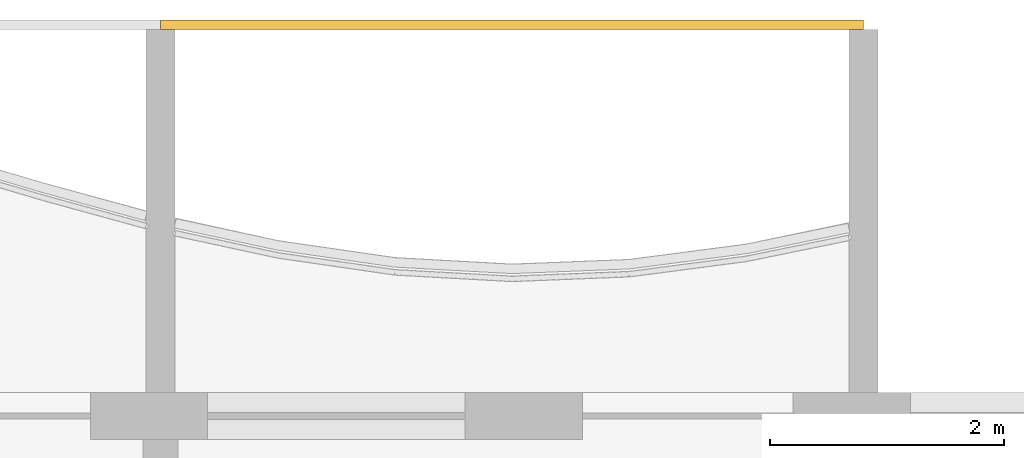
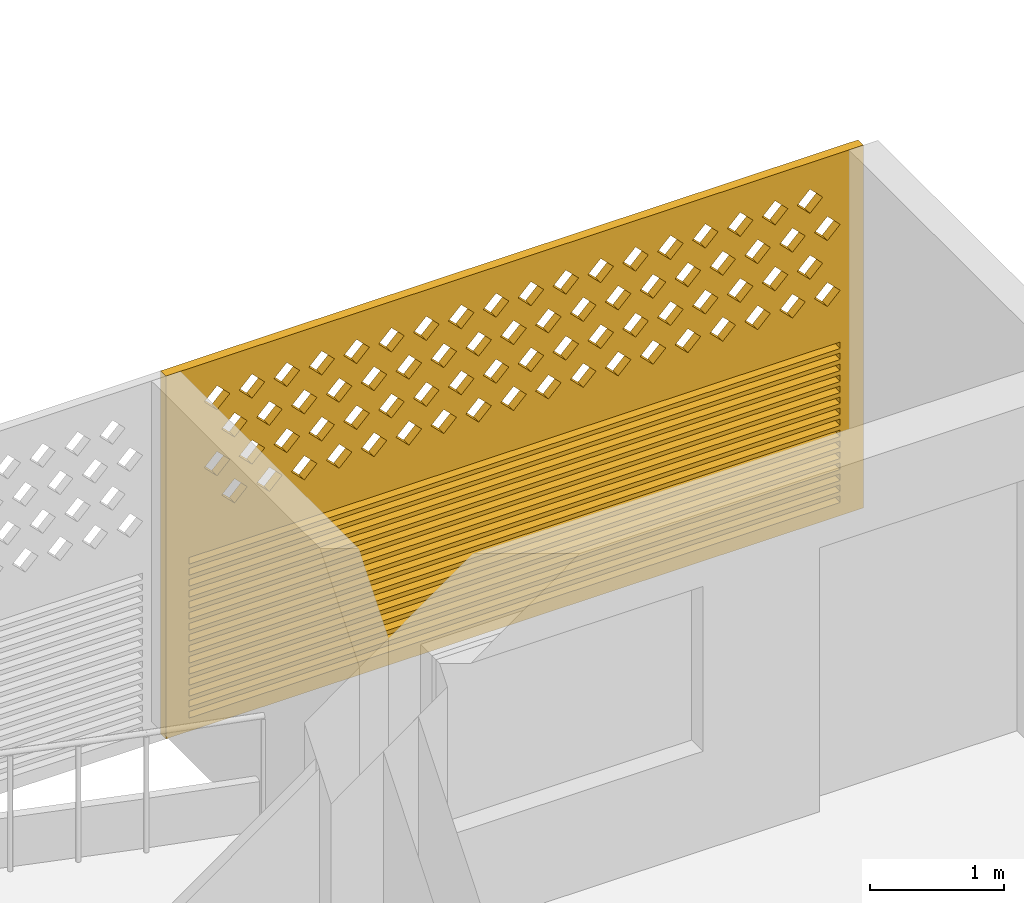
# One storey, part 19 of 31: 1 covering.
"""IFC4 building model written with IfcOpenShell, lengths in metres."""

from ifc_helpers import new_model, si_unit, direction, frame, origin, place, context, subcontext, project, spatial, polyline, outline, extrude, source, transform, mapped, material, material_profile, profile_set, type_object, element, save


model = new_model("IFC4")

# Units and contexts
model_context = context("Model", 3, precision=1e-05, world=origin(), true_north=direction((0.0, 1.0)))
body_context = subcontext(model_context, "Body", "Model", "MODEL_VIEW")
ifc_project = project(units=[si_unit("LENGTHUNIT", "METRE"), si_unit("AREAUNIT", "SQUARE_METRE"), si_unit("VOLUMEUNIT", "CUBIC_METRE"), si_unit("PLANEANGLEUNIT", "RADIAN"), si_unit("MASSUNIT", "GRAM", prefix="KILO")], contexts=[model_context])

# Site, building, storey
site_placement = place(None, origin())
site = spatial("IfcSite", under=ifc_project, at=site_placement, CompositionType="ELEMENT")
building_placement = place(site_placement, origin())
building = spatial("IfcBuilding", under=site, at=building_placement, Name="Poui Terraces", CompositionType="ELEMENT")
storey_placement = place(building_placement, frame((0.0, 0.0, 145.5)))
storey = spatial("IfcBuildingStorey", under=building, at=storey_placement, Name="L40", CompositionType="ELEMENT", Elevation=145.5)

# Covering
ifc_material = material(Name="Terracotta screen", Category="masonry")
ifc_material_profile = material_profile(ifc_material, outline(polyline([(-3.0, -1.64990234375), (3.0, -1.64990234375), (3.0, 1.64990234375), (-3.0, 1.64990234375), (-3.0, -1.64990234375)]), holes=[polyline([(-2.800048828125, 0.39990234375), (-2.68994140625, 0.2900390625), (-2.580078125, 0.39990234375), (-2.68994140625, 0.510009765625), (-2.800048828125, 0.39990234375)]), polyline([(-2.5, 0.39990234375), (-2.389892578125, 0.2900390625), (-2.280029296875, 0.39990234375), (-2.389892578125, 0.510009765625), (-2.5, 0.39990234375)]), polyline([(-2.199951171875, 0.39990234375), (-2.090087890625, 0.2900390625), (-1.97998046875, 0.39990234375), (-2.090087890625, 0.510009765625), (-2.199951171875, 0.39990234375)]), polyline([(-1.89990234375, 0.39990234375), (-1.7900390625, 0.2900390625), (-1.679931640625, 0.39990234375), (-1.7900390625, 0.510009765625), (-1.89990234375, 0.39990234375)]), polyline([(-1.60009765625, 0.39990234375), (-1.489990234375, 0.2900390625), (-1.3798828125, 0.39990234375), (-1.489990234375, 0.510009765625), (-1.60009765625, 0.39990234375)]), polyline([(-1.300048828125, 0.39990234375), (-1.18994140625, 0.2900390625), (-1.080078125, 0.39990234375), (-1.18994140625, 0.510009765625), (-1.300048828125, 0.39990234375)]), polyline([(-1.0, 0.39990234375), (-0.889892578125, 0.2900390625), (-0.780029296875, 0.39990234375), (-0.889892578125, 0.510009765625), (-1.0, 0.39990234375)]), polyline([(-0.699951171875, 0.39990234375), (-0.590087890625, 0.2900390625), (-0.47998046875, 0.39990234375), (-0.590087890625, 0.510009765625), (-0.699951171875, 0.39990234375)]), polyline([(-0.39990234375, 0.39990234375), (-0.2900390625, 0.2900390625), (-0.179931640625, 0.39990234375), (-0.2900390625, 0.510009765625), (-0.39990234375, 0.39990234375)]), polyline([(-0.10009765625, 0.39990234375), (0.010009765625, 0.2900390625), (0.1201171875, 0.39990234375), (0.010009765625, 0.510009765625), (-0.10009765625, 0.39990234375)]), polyline([(0.199951171875, 0.39990234375), (0.31005859375, 0.2900390625), (0.419921875, 0.39990234375), (0.31005859375, 0.510009765625), (0.199951171875, 0.39990234375)]), polyline([(0.5, 0.39990234375), (0.610107421875, 0.2900390625), (0.719970703125, 0.39990234375), (0.610107421875, 0.510009765625), (0.5, 0.39990234375)]), polyline([(0.800048828125, 0.39990234375), (0.909912109375, 0.2900390625), (1.02001953125, 0.39990234375), (0.909912109375, 0.510009765625), (0.800048828125, 0.39990234375)]), polyline([(1.10009765625, 0.39990234375), (1.2099609375, 0.2900390625), (1.320068359375, 0.39990234375), (1.2099609375, 0.510009765625), (1.10009765625, 0.39990234375)]), polyline([(1.39990234375, 0.39990234375), (1.510009765625, 0.2900390625), (1.6201171875, 0.39990234375), (1.510009765625, 0.510009765625), (1.39990234375, 0.39990234375)]), polyline([(1.699951171875, 0.39990234375), (1.81005859375, 0.2900390625), (1.919921875, 0.39990234375), (1.81005859375, 0.510009765625), (1.699951171875, 0.39990234375)]), polyline([(2.0, 0.39990234375), (2.110107421875, 0.2900390625), (2.219970703125, 0.39990234375), (2.110107421875, 0.510009765625), (2.0, 0.39990234375)]), polyline([(2.300048828125, 0.39990234375), (2.409912109375, 0.2900390625), (2.52001953125, 0.39990234375), (2.409912109375, 0.510009765625), (2.300048828125, 0.39990234375)]), polyline([(-2.64990234375, 0.699951171875), (-2.5400390625, 0.590087890625), (-2.429931640625, 0.699951171875), (-2.5400390625, 0.81005859375), (-2.64990234375, 0.699951171875)]), polyline([(-2.35009765625, 0.699951171875), (-2.239990234375, 0.590087890625), (-2.1298828125, 0.699951171875), (-2.239990234375, 0.81005859375), (-2.35009765625, 0.699951171875)]), polyline([(-2.050048828125, 0.699951171875), (-1.93994140625, 0.590087890625), (-1.830078125, 0.699951171875), (-1.93994140625, 0.81005859375), (-2.050048828125, 0.699951171875)]), polyline([(-1.75, 0.699951171875), (-1.639892578125, 0.590087890625), (-1.530029296875, 0.699951171875), (-1.639892578125, 0.81005859375), (-1.75, 0.699951171875)]), polyline([(-1.449951171875, 0.699951171875), (-1.340087890625, 0.590087890625), (-1.22998046875, 0.699951171875), (-1.340087890625, 0.81005859375), (-1.449951171875, 0.699951171875)]), polyline([(-1.14990234375, 0.699951171875), (-1.0400390625, 0.590087890625), (-0.929931640625, 0.699951171875), (-1.0400390625, 0.81005859375), (-1.14990234375, 0.699951171875)]), polyline([(-0.85009765625, 0.699951171875), (-0.739990234375, 0.590087890625), (-0.6298828125, 0.699951171875), (-0.739990234375, 0.81005859375), (-0.85009765625, 0.699951171875)]), polyline([(-0.550048828125, 0.699951171875), (-0.43994140625, 0.590087890625), (-0.330078125, 0.699951171875), (-0.43994140625, 0.81005859375), (-0.550048828125, 0.699951171875)]), polyline([(-0.25, 0.699951171875), (-0.139892578125, 0.590087890625), (-0.030029296875, 0.699951171875), (-0.139892578125, 0.81005859375), (-0.25, 0.699951171875)]), polyline([(0.050048828125, 0.699951171875), (0.159912109375, 0.590087890625), (0.27001953125, 0.699951171875), (0.159912109375, 0.81005859375), (0.050048828125, 0.699951171875)]), polyline([(0.35009765625, 0.699951171875), (0.4599609375, 0.590087890625), (0.570068359375, 0.699951171875), (0.4599609375, 0.81005859375), (0.35009765625, 0.699951171875)]), polyline([(0.64990234375, 0.699951171875), (0.760009765625, 0.590087890625), (0.8701171875, 0.699951171875), (0.760009765625, 0.81005859375), (0.64990234375, 0.699951171875)]), polyline([(0.949951171875, 0.699951171875), (1.06005859375, 0.590087890625), (1.169921875, 0.699951171875), (1.06005859375, 0.81005859375), (0.949951171875, 0.699951171875)]), polyline([(1.25, 0.699951171875), (1.360107421875, 0.590087890625), (1.469970703125, 0.699951171875), (1.360107421875, 0.81005859375), (1.25, 0.699951171875)]), polyline([(1.550048828125, 0.699951171875), (1.659912109375, 0.590087890625), (1.77001953125, 0.699951171875), (1.659912109375, 0.81005859375), (1.550048828125, 0.699951171875)]), polyline([(1.85009765625, 0.699951171875), (1.9599609375, 0.590087890625), (2.070068359375, 0.699951171875), (1.9599609375, 0.81005859375), (1.85009765625, 0.699951171875)]), polyline([(2.14990234375, 0.699951171875), (2.260009765625, 0.590087890625), (2.3701171875, 0.699951171875), (2.260009765625, 0.81005859375), (2.14990234375, 0.699951171875)]), polyline([(2.449951171875, 0.699951171875), (2.56005859375, 0.590087890625), (2.669921875, 0.699951171875), (2.56005859375, 0.81005859375), (2.449951171875, 0.699951171875)]), polyline([(-2.800048828125, 1.0), (-2.68994140625, 0.889892578125), (-2.580078125, 1.0), (-2.68994140625, 1.110107421875), (-2.800048828125, 1.0)]), polyline([(-2.5, 1.0), (-2.389892578125, 0.889892578125), (-2.280029296875, 1.0), (-2.389892578125, 1.110107421875), (-2.5, 1.0)]), polyline([(-2.199951171875, 1.0), (-2.090087890625, 0.889892578125), (-1.97998046875, 1.0), (-2.090087890625, 1.110107421875), (-2.199951171875, 1.0)]), polyline([(-1.89990234375, 1.0), (-1.7900390625, 0.889892578125), (-1.679931640625, 1.0), (-1.7900390625, 1.110107421875), (-1.89990234375, 1.0)]), polyline([(-1.60009765625, 1.0), (-1.489990234375, 0.889892578125), (-1.3798828125, 1.0), (-1.489990234375, 1.110107421875), (-1.60009765625, 1.0)]), polyline([(-1.300048828125, 1.0), (-1.18994140625, 0.889892578125), (-1.080078125, 1.0), (-1.18994140625, 1.110107421875), (-1.300048828125, 1.0)]), polyline([(-1.0, 1.0), (-0.889892578125, 0.889892578125), (-0.780029296875, 1.0), (-0.889892578125, 1.110107421875), (-1.0, 1.0)]), polyline([(-0.699951171875, 1.0), (-0.590087890625, 0.889892578125), (-0.47998046875, 1.0), (-0.590087890625, 1.110107421875), (-0.699951171875, 1.0)]), polyline([(-0.39990234375, 1.0), (-0.2900390625, 0.889892578125), (-0.179931640625, 1.0), (-0.2900390625, 1.110107421875), (-0.39990234375, 1.0)]), polyline([(-0.10009765625, 1.0), (0.010009765625, 0.889892578125), (0.1201171875, 1.0), (0.010009765625, 1.110107421875), (-0.10009765625, 1.0)]), polyline([(0.199951171875, 1.0), (0.31005859375, 0.889892578125), (0.419921875, 1.0), (0.31005859375, 1.110107421875), (0.199951171875, 1.0)]), polyline([(0.5, 1.0), (0.610107421875, 0.889892578125), (0.719970703125, 1.0), (0.610107421875, 1.110107421875), (0.5, 1.0)]), polyline([(0.800048828125, 1.0), (0.909912109375, 0.889892578125), (1.02001953125, 1.0), (0.909912109375, 1.110107421875), (0.800048828125, 1.0)]), polyline([(1.10009765625, 1.0), (1.2099609375, 0.889892578125), (1.320068359375, 1.0), (1.2099609375, 1.110107421875), (1.10009765625, 1.0)]), polyline([(1.39990234375, 1.0), (1.510009765625, 0.889892578125), (1.6201171875, 1.0), (1.510009765625, 1.110107421875), (1.39990234375, 1.0)]), polyline([(1.699951171875, 1.0), (1.81005859375, 0.889892578125), (1.919921875, 1.0), (1.81005859375, 1.110107421875), (1.699951171875, 1.0)]), polyline([(2.0, 1.0), (2.110107421875, 0.889892578125), (2.219970703125, 1.0), (2.110107421875, 1.110107421875), (2.0, 1.0)]), polyline([(2.300048828125, 1.0), (2.409912109375, 0.889892578125), (2.52001953125, 1.0), (2.409912109375, 1.110107421875), (2.300048828125, 1.0)]), polyline([(-2.64990234375, 1.300048828125), (-2.5400390625, 1.18994140625), (-2.429931640625, 1.300048828125), (-2.5400390625, 1.409912109375), (-2.64990234375, 1.300048828125)]), polyline([(-2.35009765625, 1.300048828125), (-2.239990234375, 1.18994140625), (-2.1298828125, 1.300048828125), (-2.239990234375, 1.409912109375), (-2.35009765625, 1.300048828125)]), polyline([(-2.050048828125, 1.300048828125), (-1.93994140625, 1.18994140625), (-1.830078125, 1.300048828125), (-1.93994140625, 1.409912109375), (-2.050048828125, 1.300048828125)]), polyline([(-1.75, 1.300048828125), (-1.639892578125, 1.18994140625), (-1.530029296875, 1.300048828125), (-1.639892578125, 1.409912109375), (-1.75, 1.300048828125)]), polyline([(-1.449951171875, 1.300048828125), (-1.340087890625, 1.18994140625), (-1.22998046875, 1.300048828125), (-1.340087890625, 1.409912109375), (-1.449951171875, 1.300048828125)]), polyline([(-1.14990234375, 1.300048828125), (-1.0400390625, 1.18994140625), (-0.929931640625, 1.300048828125), (-1.0400390625, 1.409912109375), (-1.14990234375, 1.300048828125)]), polyline([(-0.85009765625, 1.300048828125), (-0.739990234375, 1.18994140625), (-0.6298828125, 1.300048828125), (-0.739990234375, 1.409912109375), (-0.85009765625, 1.300048828125)]), polyline([(-0.550048828125, 1.300048828125), (-0.43994140625, 1.18994140625), (-0.330078125, 1.300048828125), (-0.43994140625, 1.409912109375), (-0.550048828125, 1.300048828125)]), polyline([(-0.25, 1.300048828125), (-0.139892578125, 1.18994140625), (-0.030029296875, 1.300048828125), (-0.139892578125, 1.409912109375), (-0.25, 1.300048828125)]), polyline([(0.050048828125, 1.300048828125), (0.159912109375, 1.18994140625), (0.27001953125, 1.300048828125), (0.159912109375, 1.409912109375), (0.050048828125, 1.300048828125)]), polyline([(0.35009765625, 1.300048828125), (0.4599609375, 1.18994140625), (0.570068359375, 1.300048828125), (0.4599609375, 1.409912109375), (0.35009765625, 1.300048828125)]), polyline([(0.64990234375, 1.300048828125), (0.760009765625, 1.18994140625), (0.8701171875, 1.300048828125), (0.760009765625, 1.409912109375), (0.64990234375, 1.300048828125)]), polyline([(0.949951171875, 1.300048828125), (1.06005859375, 1.18994140625), (1.169921875, 1.300048828125), (1.06005859375, 1.409912109375), (0.949951171875, 1.300048828125)]), polyline([(1.25, 1.300048828125), (1.360107421875, 1.18994140625), (1.469970703125, 1.300048828125), (1.360107421875, 1.409912109375), (1.25, 1.300048828125)]), polyline([(1.550048828125, 1.300048828125), (1.659912109375, 1.18994140625), (1.77001953125, 1.300048828125), (1.659912109375, 1.409912109375), (1.550048828125, 1.300048828125)]), polyline([(1.85009765625, 1.300048828125), (1.9599609375, 1.18994140625), (2.070068359375, 1.300048828125), (1.9599609375, 1.409912109375), (1.85009765625, 1.300048828125)]), polyline([(2.14990234375, 1.300048828125), (2.260009765625, 1.18994140625), (2.3701171875, 1.300048828125), (2.260009765625, 1.409912109375), (2.14990234375, 1.300048828125)]), polyline([(2.449951171875, 1.300048828125), (2.56005859375, 1.18994140625), (2.669921875, 1.300048828125), (2.56005859375, 1.409912109375), (2.449951171875, 1.300048828125)]), polyline([(-2.800048828125, -1.530029296875), (2.800048828125, -1.530029296875), (2.800048828125, -1.469970703125), (-2.800048828125, -1.469970703125), (-2.800048828125, -1.530029296875)]), polyline([(-2.800048828125, -1.429931640625), (2.800048828125, -1.429931640625), (2.800048828125, -1.3701171875), (-2.800048828125, -1.3701171875), (-2.800048828125, -1.429931640625)]), polyline([(-2.800048828125, -1.330078125), (2.800048828125, -1.330078125), (2.800048828125, -1.27001953125), (-2.800048828125, -1.27001953125), (-2.800048828125, -1.330078125)]), polyline([(-2.800048828125, -1.22998046875), (2.800048828125, -1.22998046875), (2.800048828125, -1.169921875), (-2.800048828125, -1.169921875), (-2.800048828125, -1.22998046875)]), polyline([(-2.800048828125, -1.1298828125), (2.800048828125, -1.1298828125), (2.800048828125, -1.070068359375), (-2.800048828125, -1.070068359375), (-2.800048828125, -1.1298828125)]), polyline([(-2.800048828125, -1.030029296875), (2.800048828125, -1.030029296875), (2.800048828125, -0.969970703125), (-2.800048828125, -0.969970703125), (-2.800048828125, -1.030029296875)]), polyline([(-2.800048828125, -0.929931640625), (2.800048828125, -0.929931640625), (2.800048828125, -0.8701171875), (-2.800048828125, -0.8701171875), (-2.800048828125, -0.929931640625)]), polyline([(-2.800048828125, -0.830078125), (2.800048828125, -0.830078125), (2.800048828125, -0.77001953125), (-2.800048828125, -0.77001953125), (-2.800048828125, -0.830078125)]), polyline([(-2.800048828125, -0.72998046875), (2.800048828125, -0.72998046875), (2.800048828125, -0.669921875), (-2.800048828125, -0.669921875), (-2.800048828125, -0.72998046875)]), polyline([(-2.800048828125, -0.6298828125), (2.800048828125, -0.6298828125), (2.800048828125, -0.570068359375), (-2.800048828125, -0.570068359375), (-2.800048828125, -0.6298828125)]), polyline([(-2.800048828125, -0.530029296875), (2.800048828125, -0.530029296875), (2.800048828125, -0.469970703125), (-2.800048828125, -0.469970703125), (-2.800048828125, -0.530029296875)]), polyline([(-2.800048828125, -0.429931640625), (2.800048828125, -0.429931640625), (2.800048828125, -0.3701171875), (-2.800048828125, -0.3701171875), (-2.800048828125, -0.429931640625)]), polyline([(-2.800048828125, -0.330078125), (2.800048828125, -0.330078125), (2.800048828125, -0.27001953125), (-2.800048828125, -0.27001953125), (-2.800048828125, -0.330078125)]), polyline([(-2.800048828125, -0.22998046875), (2.800048828125, -0.22998046875), (2.800048828125, -0.169921875), (-2.800048828125, -0.169921875), (-2.800048828125, -0.22998046875)]), polyline([(-2.800048828125, -0.1298828125), (2.800048828125, -0.1298828125), (2.800048828125, -0.070068359375), (-2.800048828125, -0.070068359375), (-2.800048828125, -0.1298828125)])]), Name="TERRACOTTA SCREEN AND JALOUSIE LOUVRE 6000X3300")
ifc_profile_set = profile_set([ifc_material_profile], Name="Terracotta screen")
covering_type = type_object("IfcCoveringType", Name="TERRACOTTA SCREEN AND JALOUSIE LOUVRE 6000X3300", PredefinedType="CLADDING", material=ifc_profile_set)
shared_shape = source(origin(), body_context, "Body", "SweptSolid", [
    extrude(outline(polyline([(-3.0, -1.64990234375), (3.0, -1.64990234375), (3.0, 1.64990234375), (-3.0, 1.64990234375), (-3.0, -1.64990234375)]), holes=[polyline([(-2.800048828125, 0.39990234375), (-2.68994140625, 0.2900390625), (-2.580078125, 0.39990234375), (-2.68994140625, 0.510009765625), (-2.800048828125, 0.39990234375)]), polyline([(-2.5, 0.39990234375), (-2.389892578125, 0.2900390625), (-2.280029296875, 0.39990234375), (-2.389892578125, 0.510009765625), (-2.5, 0.39990234375)]), polyline([(-2.199951171875, 0.39990234375), (-2.090087890625, 0.2900390625), (-1.97998046875, 0.39990234375), (-2.090087890625, 0.510009765625), (-2.199951171875, 0.39990234375)]), polyline([(-1.89990234375, 0.39990234375), (-1.7900390625, 0.2900390625), (-1.679931640625, 0.39990234375), (-1.7900390625, 0.510009765625), (-1.89990234375, 0.39990234375)]), polyline([(-1.60009765625, 0.39990234375), (-1.489990234375, 0.2900390625), (-1.3798828125, 0.39990234375), (-1.489990234375, 0.510009765625), (-1.60009765625, 0.39990234375)]), polyline([(-1.300048828125, 0.39990234375), (-1.18994140625, 0.2900390625), (-1.080078125, 0.39990234375), (-1.18994140625, 0.510009765625), (-1.300048828125, 0.39990234375)]), polyline([(-1.0, 0.39990234375), (-0.889892578125, 0.2900390625), (-0.780029296875, 0.39990234375), (-0.889892578125, 0.510009765625), (-1.0, 0.39990234375)]), polyline([(-0.699951171875, 0.39990234375), (-0.590087890625, 0.2900390625), (-0.47998046875, 0.39990234375), (-0.590087890625, 0.510009765625), (-0.699951171875, 0.39990234375)]), polyline([(-0.39990234375, 0.39990234375), (-0.2900390625, 0.2900390625), (-0.179931640625, 0.39990234375), (-0.2900390625, 0.510009765625), (-0.39990234375, 0.39990234375)]), polyline([(-0.10009765625, 0.39990234375), (0.010009765625, 0.2900390625), (0.1201171875, 0.39990234375), (0.010009765625, 0.510009765625), (-0.10009765625, 0.39990234375)]), polyline([(0.199951171875, 0.39990234375), (0.31005859375, 0.2900390625), (0.419921875, 0.39990234375), (0.31005859375, 0.510009765625), (0.199951171875, 0.39990234375)]), polyline([(0.5, 0.39990234375), (0.610107421875, 0.2900390625), (0.719970703125, 0.39990234375), (0.610107421875, 0.510009765625), (0.5, 0.39990234375)]), polyline([(0.800048828125, 0.39990234375), (0.909912109375, 0.2900390625), (1.02001953125, 0.39990234375), (0.909912109375, 0.510009765625), (0.800048828125, 0.39990234375)]), polyline([(1.10009765625, 0.39990234375), (1.2099609375, 0.2900390625), (1.320068359375, 0.39990234375), (1.2099609375, 0.510009765625), (1.10009765625, 0.39990234375)]), polyline([(1.39990234375, 0.39990234375), (1.510009765625, 0.2900390625), (1.6201171875, 0.39990234375), (1.510009765625, 0.510009765625), (1.39990234375, 0.39990234375)]), polyline([(1.699951171875, 0.39990234375), (1.81005859375, 0.2900390625), (1.919921875, 0.39990234375), (1.81005859375, 0.510009765625), (1.699951171875, 0.39990234375)]), polyline([(2.0, 0.39990234375), (2.110107421875, 0.2900390625), (2.219970703125, 0.39990234375), (2.110107421875, 0.510009765625), (2.0, 0.39990234375)]), polyline([(2.300048828125, 0.39990234375), (2.409912109375, 0.2900390625), (2.52001953125, 0.39990234375), (2.409912109375, 0.510009765625), (2.300048828125, 0.39990234375)]), polyline([(-2.64990234375, 0.699951171875), (-2.5400390625, 0.590087890625), (-2.429931640625, 0.699951171875), (-2.5400390625, 0.81005859375), (-2.64990234375, 0.699951171875)]), polyline([(-2.35009765625, 0.699951171875), (-2.239990234375, 0.590087890625), (-2.1298828125, 0.699951171875), (-2.239990234375, 0.81005859375), (-2.35009765625, 0.699951171875)]), polyline([(-2.050048828125, 0.699951171875), (-1.93994140625, 0.590087890625), (-1.830078125, 0.699951171875), (-1.93994140625, 0.81005859375), (-2.050048828125, 0.699951171875)]), polyline([(-1.75, 0.699951171875), (-1.639892578125, 0.590087890625), (-1.530029296875, 0.699951171875), (-1.639892578125, 0.81005859375), (-1.75, 0.699951171875)]), polyline([(-1.449951171875, 0.699951171875), (-1.340087890625, 0.590087890625), (-1.22998046875, 0.699951171875), (-1.340087890625, 0.81005859375), (-1.449951171875, 0.699951171875)]), polyline([(-1.14990234375, 0.699951171875), (-1.0400390625, 0.590087890625), (-0.929931640625, 0.699951171875), (-1.0400390625, 0.81005859375), (-1.14990234375, 0.699951171875)]), polyline([(-0.85009765625, 0.699951171875), (-0.739990234375, 0.590087890625), (-0.6298828125, 0.699951171875), (-0.739990234375, 0.81005859375), (-0.85009765625, 0.699951171875)]), polyline([(-0.550048828125, 0.699951171875), (-0.43994140625, 0.590087890625), (-0.330078125, 0.699951171875), (-0.43994140625, 0.81005859375), (-0.550048828125, 0.699951171875)]), polyline([(-0.25, 0.699951171875), (-0.139892578125, 0.590087890625), (-0.030029296875, 0.699951171875), (-0.139892578125, 0.81005859375), (-0.25, 0.699951171875)]), polyline([(0.050048828125, 0.699951171875), (0.159912109375, 0.590087890625), (0.27001953125, 0.699951171875), (0.159912109375, 0.81005859375), (0.050048828125, 0.699951171875)]), polyline([(0.35009765625, 0.699951171875), (0.4599609375, 0.590087890625), (0.570068359375, 0.699951171875), (0.4599609375, 0.81005859375), (0.35009765625, 0.699951171875)]), polyline([(0.64990234375, 0.699951171875), (0.760009765625, 0.590087890625), (0.8701171875, 0.699951171875), (0.760009765625, 0.81005859375), (0.64990234375, 0.699951171875)]), polyline([(0.949951171875, 0.699951171875), (1.06005859375, 0.590087890625), (1.169921875, 0.699951171875), (1.06005859375, 0.81005859375), (0.949951171875, 0.699951171875)]), polyline([(1.25, 0.699951171875), (1.360107421875, 0.590087890625), (1.469970703125, 0.699951171875), (1.360107421875, 0.81005859375), (1.25, 0.699951171875)]), polyline([(1.550048828125, 0.699951171875), (1.659912109375, 0.590087890625), (1.77001953125, 0.699951171875), (1.659912109375, 0.81005859375), (1.550048828125, 0.699951171875)]), polyline([(1.85009765625, 0.699951171875), (1.9599609375, 0.590087890625), (2.070068359375, 0.699951171875), (1.9599609375, 0.81005859375), (1.85009765625, 0.699951171875)]), polyline([(2.14990234375, 0.699951171875), (2.260009765625, 0.590087890625), (2.3701171875, 0.699951171875), (2.260009765625, 0.81005859375), (2.14990234375, 0.699951171875)]), polyline([(2.449951171875, 0.699951171875), (2.56005859375, 0.590087890625), (2.669921875, 0.699951171875), (2.56005859375, 0.81005859375), (2.449951171875, 0.699951171875)]), polyline([(-2.800048828125, 1.0), (-2.68994140625, 0.889892578125), (-2.580078125, 1.0), (-2.68994140625, 1.110107421875), (-2.800048828125, 1.0)]), polyline([(-2.5, 1.0), (-2.389892578125, 0.889892578125), (-2.280029296875, 1.0), (-2.389892578125, 1.110107421875), (-2.5, 1.0)]), polyline([(-2.199951171875, 1.0), (-2.090087890625, 0.889892578125), (-1.97998046875, 1.0), (-2.090087890625, 1.110107421875), (-2.199951171875, 1.0)]), polyline([(-1.89990234375, 1.0), (-1.7900390625, 0.889892578125), (-1.679931640625, 1.0), (-1.7900390625, 1.110107421875), (-1.89990234375, 1.0)]), polyline([(-1.60009765625, 1.0), (-1.489990234375, 0.889892578125), (-1.3798828125, 1.0), (-1.489990234375, 1.110107421875), (-1.60009765625, 1.0)]), polyline([(-1.300048828125, 1.0), (-1.18994140625, 0.889892578125), (-1.080078125, 1.0), (-1.18994140625, 1.110107421875), (-1.300048828125, 1.0)]), polyline([(-1.0, 1.0), (-0.889892578125, 0.889892578125), (-0.780029296875, 1.0), (-0.889892578125, 1.110107421875), (-1.0, 1.0)]), polyline([(-0.699951171875, 1.0), (-0.590087890625, 0.889892578125), (-0.47998046875, 1.0), (-0.590087890625, 1.110107421875), (-0.699951171875, 1.0)]), polyline([(-0.39990234375, 1.0), (-0.2900390625, 0.889892578125), (-0.179931640625, 1.0), (-0.2900390625, 1.110107421875), (-0.39990234375, 1.0)]), polyline([(-0.10009765625, 1.0), (0.010009765625, 0.889892578125), (0.1201171875, 1.0), (0.010009765625, 1.110107421875), (-0.10009765625, 1.0)]), polyline([(0.199951171875, 1.0), (0.31005859375, 0.889892578125), (0.419921875, 1.0), (0.31005859375, 1.110107421875), (0.199951171875, 1.0)]), polyline([(0.5, 1.0), (0.610107421875, 0.889892578125), (0.719970703125, 1.0), (0.610107421875, 1.110107421875), (0.5, 1.0)]), polyline([(0.800048828125, 1.0), (0.909912109375, 0.889892578125), (1.02001953125, 1.0), (0.909912109375, 1.110107421875), (0.800048828125, 1.0)]), polyline([(1.10009765625, 1.0), (1.2099609375, 0.889892578125), (1.320068359375, 1.0), (1.2099609375, 1.110107421875), (1.10009765625, 1.0)]), polyline([(1.39990234375, 1.0), (1.510009765625, 0.889892578125), (1.6201171875, 1.0), (1.510009765625, 1.110107421875), (1.39990234375, 1.0)]), polyline([(1.699951171875, 1.0), (1.81005859375, 0.889892578125), (1.919921875, 1.0), (1.81005859375, 1.110107421875), (1.699951171875, 1.0)]), polyline([(2.0, 1.0), (2.110107421875, 0.889892578125), (2.219970703125, 1.0), (2.110107421875, 1.110107421875), (2.0, 1.0)]), polyline([(2.300048828125, 1.0), (2.409912109375, 0.889892578125), (2.52001953125, 1.0), (2.409912109375, 1.110107421875), (2.300048828125, 1.0)]), polyline([(-2.64990234375, 1.300048828125), (-2.5400390625, 1.18994140625), (-2.429931640625, 1.300048828125), (-2.5400390625, 1.409912109375), (-2.64990234375, 1.300048828125)]), polyline([(-2.35009765625, 1.300048828125), (-2.239990234375, 1.18994140625), (-2.1298828125, 1.300048828125), (-2.239990234375, 1.409912109375), (-2.35009765625, 1.300048828125)]), polyline([(-2.050048828125, 1.300048828125), (-1.93994140625, 1.18994140625), (-1.830078125, 1.300048828125), (-1.93994140625, 1.409912109375), (-2.050048828125, 1.300048828125)]), polyline([(-1.75, 1.300048828125), (-1.639892578125, 1.18994140625), (-1.530029296875, 1.300048828125), (-1.639892578125, 1.409912109375), (-1.75, 1.300048828125)]), polyline([(-1.449951171875, 1.300048828125), (-1.340087890625, 1.18994140625), (-1.22998046875, 1.300048828125), (-1.340087890625, 1.409912109375), (-1.449951171875, 1.300048828125)]), polyline([(-1.14990234375, 1.300048828125), (-1.0400390625, 1.18994140625), (-0.929931640625, 1.300048828125), (-1.0400390625, 1.409912109375), (-1.14990234375, 1.300048828125)]), polyline([(-0.85009765625, 1.300048828125), (-0.739990234375, 1.18994140625), (-0.6298828125, 1.300048828125), (-0.739990234375, 1.409912109375), (-0.85009765625, 1.300048828125)]), polyline([(-0.550048828125, 1.300048828125), (-0.43994140625, 1.18994140625), (-0.330078125, 1.300048828125), (-0.43994140625, 1.409912109375), (-0.550048828125, 1.300048828125)]), polyline([(-0.25, 1.300048828125), (-0.139892578125, 1.18994140625), (-0.030029296875, 1.300048828125), (-0.139892578125, 1.409912109375), (-0.25, 1.300048828125)]), polyline([(0.050048828125, 1.300048828125), (0.159912109375, 1.18994140625), (0.27001953125, 1.300048828125), (0.159912109375, 1.409912109375), (0.050048828125, 1.300048828125)]), polyline([(0.35009765625, 1.300048828125), (0.4599609375, 1.18994140625), (0.570068359375, 1.300048828125), (0.4599609375, 1.409912109375), (0.35009765625, 1.300048828125)]), polyline([(0.64990234375, 1.300048828125), (0.760009765625, 1.18994140625), (0.8701171875, 1.300048828125), (0.760009765625, 1.409912109375), (0.64990234375, 1.300048828125)]), polyline([(0.949951171875, 1.300048828125), (1.06005859375, 1.18994140625), (1.169921875, 1.300048828125), (1.06005859375, 1.409912109375), (0.949951171875, 1.300048828125)]), polyline([(1.25, 1.300048828125), (1.360107421875, 1.18994140625), (1.469970703125, 1.300048828125), (1.360107421875, 1.409912109375), (1.25, 1.300048828125)]), polyline([(1.550048828125, 1.300048828125), (1.659912109375, 1.18994140625), (1.77001953125, 1.300048828125), (1.659912109375, 1.409912109375), (1.550048828125, 1.300048828125)]), polyline([(1.85009765625, 1.300048828125), (1.9599609375, 1.18994140625), (2.070068359375, 1.300048828125), (1.9599609375, 1.409912109375), (1.85009765625, 1.300048828125)]), polyline([(2.14990234375, 1.300048828125), (2.260009765625, 1.18994140625), (2.3701171875, 1.300048828125), (2.260009765625, 1.409912109375), (2.14990234375, 1.300048828125)]), polyline([(2.449951171875, 1.300048828125), (2.56005859375, 1.18994140625), (2.669921875, 1.300048828125), (2.56005859375, 1.409912109375), (2.449951171875, 1.300048828125)]), polyline([(-2.800048828125, -1.530029296875), (2.800048828125, -1.530029296875), (2.800048828125, -1.469970703125), (-2.800048828125, -1.469970703125), (-2.800048828125, -1.530029296875)]), polyline([(-2.800048828125, -1.429931640625), (2.800048828125, -1.429931640625), (2.800048828125, -1.3701171875), (-2.800048828125, -1.3701171875), (-2.800048828125, -1.429931640625)]), polyline([(-2.800048828125, -1.330078125), (2.800048828125, -1.330078125), (2.800048828125, -1.27001953125), (-2.800048828125, -1.27001953125), (-2.800048828125, -1.330078125)]), polyline([(-2.800048828125, -1.22998046875), (2.800048828125, -1.22998046875), (2.800048828125, -1.169921875), (-2.800048828125, -1.169921875), (-2.800048828125, -1.22998046875)]), polyline([(-2.800048828125, -1.1298828125), (2.800048828125, -1.1298828125), (2.800048828125, -1.070068359375), (-2.800048828125, -1.070068359375), (-2.800048828125, -1.1298828125)]), polyline([(-2.800048828125, -1.030029296875), (2.800048828125, -1.030029296875), (2.800048828125, -0.969970703125), (-2.800048828125, -0.969970703125), (-2.800048828125, -1.030029296875)]), polyline([(-2.800048828125, -0.929931640625), (2.800048828125, -0.929931640625), (2.800048828125, -0.8701171875), (-2.800048828125, -0.8701171875), (-2.800048828125, -0.929931640625)]), polyline([(-2.800048828125, -0.830078125), (2.800048828125, -0.830078125), (2.800048828125, -0.77001953125), (-2.800048828125, -0.77001953125), (-2.800048828125, -0.830078125)]), polyline([(-2.800048828125, -0.72998046875), (2.800048828125, -0.72998046875), (2.800048828125, -0.669921875), (-2.800048828125, -0.669921875), (-2.800048828125, -0.72998046875)]), polyline([(-2.800048828125, -0.6298828125), (2.800048828125, -0.6298828125), (2.800048828125, -0.570068359375), (-2.800048828125, -0.570068359375), (-2.800048828125, -0.6298828125)]), polyline([(-2.800048828125, -0.530029296875), (2.800048828125, -0.530029296875), (2.800048828125, -0.469970703125), (-2.800048828125, -0.469970703125), (-2.800048828125, -0.530029296875)]), polyline([(-2.800048828125, -0.429931640625), (2.800048828125, -0.429931640625), (2.800048828125, -0.3701171875), (-2.800048828125, -0.3701171875), (-2.800048828125, -0.429931640625)]), polyline([(-2.800048828125, -0.330078125), (2.800048828125, -0.330078125), (2.800048828125, -0.27001953125), (-2.800048828125, -0.27001953125), (-2.800048828125, -0.330078125)]), polyline([(-2.800048828125, -0.22998046875), (2.800048828125, -0.22998046875), (2.800048828125, -0.169921875), (-2.800048828125, -0.169921875), (-2.800048828125, -0.22998046875)]), polyline([(-2.800048828125, -0.1298828125), (2.800048828125, -0.1298828125), (2.800048828125, -0.070068359375), (-2.800048828125, -0.070068359375), (-2.800048828125, -0.1298828125)])]), origin(), (0.0, 0.0, 1.0), 0.080078125),
])
covering_placement = place(storey_placement, frame((27.0, 45.699951171875, 1.449951171875), z_axis=(0.0, 1.0, 0.0), x_axis=(-1.0, 0.0, 0.0)))
element("IfcCovering", 1, at=covering_placement, inside=storey, type_object=covering_type, Name="SOLAR SCREEN AND JALOUSIE LOUVRE", PredefinedType="CLADDING", context=body_context, shape_type="MappedRepresentation", body=[
    mapped(shared_shape, transform((0.0, 0.0, 0.0))),
])

save(model, "model.ifc")
